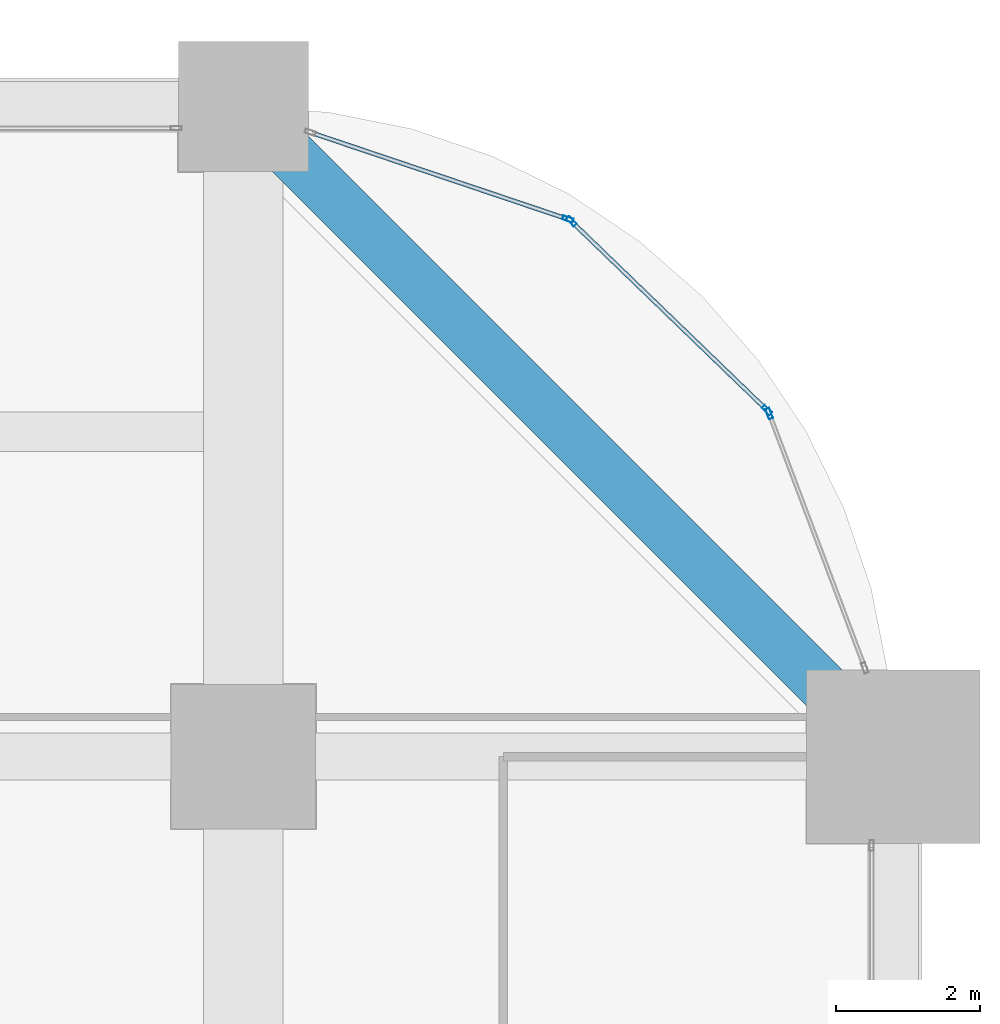
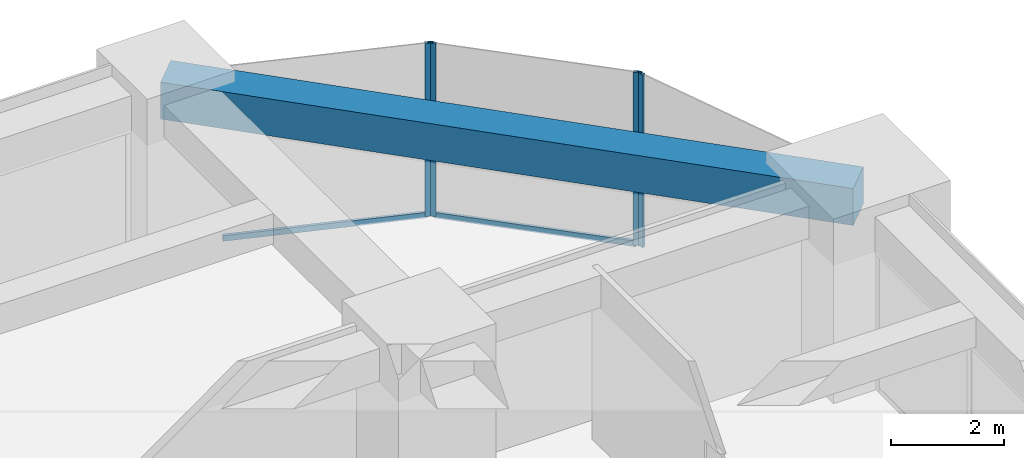
# One storey, part 34 of 41: 6 members, 1 beam, 3 elements without a shape of their own.
"""IFC4 building model written with IfcOpenShell, lengths in metres."""

from ifc_helpers import new_model, si_unit, direction, frame, origin, origin_2d, place, context, subcontext, project, spatial, rectangle, hollow_rectangle, extrude, material, material_profile, profile_set, type_object, element, aggregate, save


model = new_model("IFC4")

# Units and contexts
model_context = context("Model", 3, precision=1e-05, world=origin(), true_north=direction((0.0, 1.0)))
body_context = subcontext(model_context, "Body", "Model", "MODEL_VIEW")
ifc_project = project(units=[si_unit("LENGTHUNIT", "METRE"), si_unit("AREAUNIT", "SQUARE_METRE"), si_unit("VOLUMEUNIT", "CUBIC_METRE"), si_unit("PLANEANGLEUNIT", "RADIAN"), si_unit("MASSUNIT", "GRAM", prefix="KILO")], contexts=[model_context])

# Site, building, storey
site_placement = place(None, origin())
site = spatial("IfcSite", under=ifc_project, at=site_placement, CompositionType="ELEMENT")
building_placement = place(site_placement, origin())
building = spatial("IfcBuilding", under=site, at=building_placement, Name="Zorevar Civic Tower", CompositionType="ELEMENT")
storey_placement = place(building_placement, frame((0.0, 0.0, 113.0)))
storey = spatial("IfcBuildingStorey", under=building, at=storey_placement, Name="L27", CompositionType="ELEMENT", Elevation=113.0)

# Curtain wall, member
ifc_material_1 = material(Name="Dark grey solar-control glass in black aluminium frame", Category="aluminium")
curtain_wall_type = type_object("IfcCurtainWallType", Name="Curtain wall CW3 mid zone", PredefinedType="NOTDEFINED", material=ifc_material_1)
curtain_wall_1_placement = place(storey_placement, origin())
curtain_wall_1 = element("IfcCurtainWall", 1, at=curtain_wall_1_placement, inside=storey, type_object=curtain_wall_type, Name="CW3 L27", PredefinedType="NOTDEFINED")
ifc_material_2 = material(Name="Aluminium, black anodised", Category="aluminium")
ifc_material_profile_1 = material_profile(ifc_material_2, hollow_rectangle(XDim=0.06005859375, YDim=0.14990234375, WallThickness=0.00390625, at=origin_2d()), Name="AL 150x60x4")
ifc_profile_set_1 = profile_set([ifc_material_profile_1], Name="Aluminium, black anodised")
member_type_1 = type_object("IfcMemberType", Name="CW3 mullion AL 150x60x4", PredefinedType="MULLION", material=ifc_profile_set_1)
member_1_placement = place(storey_placement, frame((61.281494140625, 40.749267578125, 0.0), z_axis=(0.0, 0.0, 1.0), x_axis=(-0.935950528564, -0.352131520999, 0.0)))
member_1 = element("IfcMember", 2, at=member_1_placement, type_object=member_type_1, Name="CW3 mullion 2", PredefinedType="MULLION", context=body_context, shape_type="SweptSolid", body=[
    extrude(hollow_rectangle(XDim=0.06005859375, YDim=0.14990234375, WallThickness=0.00390625, at=origin_2d()), origin(), (0.0, 0.0, 1.0), 3.75),
])
aggregate(curtain_wall_1, [member_1])

# Curtain wall, members
curtain_wall_2_placement = place(storey_placement, origin())
curtain_wall_2 = element("IfcCurtainWall", 3, at=curtain_wall_2_placement, inside=storey, type_object=curtain_wall_type, Name="CW3 L27", PredefinedType="NOTDEFINED")
member_2_placement = place(storey_placement, frame((61.249267578125, 40.798095703125, 0.0), z_axis=(0.0, 0.0, 1.0), x_axis=(-0.694719089155, -0.719281160023, 0.0)))
member_2 = element("IfcMember", 4, at=member_2_placement, type_object=member_type_1, Name="CW3 mullion 1", PredefinedType="MULLION", context=body_context, shape_type="SweptSolid", body=[
    extrude(hollow_rectangle(XDim=0.06005859375, YDim=0.14990234375, WallThickness=0.00390625, at=origin_2d()), origin(), (0.0, 0.0, 1.0), 3.75),
])
member_3_placement = place(storey_placement, frame((58.54345703125, 43.41162109375, 0.0), z_axis=(0.0, 0.0, 1.0), x_axis=(-0.694719089155, -0.719281160023, 0.0)))
member_3 = element("IfcMember", 5, at=member_3_placement, type_object=member_type_1, Name="CW3 mullion 2", PredefinedType="MULLION", context=body_context, shape_type="SweptSolid", body=[
    extrude(hollow_rectangle(XDim=0.06005859375, YDim=0.14990234375, WallThickness=0.00390625, at=origin_2d()), origin(), (0.0, 0.0, 1.0), 3.75),
])

# Curtain wall, member
curtain_wall_3_placement = place(storey_placement, origin())
curtain_wall_3 = element("IfcCurtainWall", 6, at=curtain_wall_3_placement, inside=storey, type_object=curtain_wall_type, Name="CW3 L27", PredefinedType="NOTDEFINED")
member_4_placement = place(storey_placement, frame((58.493408203125, 43.442138671875, 0.0), z_axis=(0.0, 0.0, 1.0), x_axis=(-0.319412525043, -0.947615765406, 0.0)))
member_4 = element("IfcMember", 7, at=member_4_placement, type_object=member_type_1, Name="CW3 mullion 1", PredefinedType="MULLION", context=body_context, shape_type="SweptSolid", body=[
    extrude(hollow_rectangle(XDim=0.06005859375, YDim=0.14990234375, WallThickness=0.00390625, at=origin_2d()), origin(), (0.0, 0.0, 1.0), 3.75),
])

# Member
ifc_material_3 = material(Name="Aluminium, black anodised", Category="aluminium")
ifc_material_profile_2 = material_profile(ifc_material_3, hollow_rectangle(XDim=0.06005859375, YDim=0.1201171875, WallThickness=0.0029296875, at=origin_2d()), Name="AL 120x60x3")
ifc_profile_set_2 = profile_set([ifc_material_profile_2], Name="Aluminium, black anodised")
member_type_2 = type_object("IfcMemberType", Name="CW3 transom AL 120x60x3", PredefinedType="USERDEFINED", material=ifc_profile_set_2)
member_5_placement = place(storey_placement, frame((61.227783203125, 40.81884765625, 0.030029296875), z_axis=(-0.719266228526, 0.694734548228, 0.0), x_axis=(-0.694734548228, -0.719266228526, 0.0)))
member_5 = element("IfcMember", 8, at=member_5_placement, type_object=member_type_2, Name="CW3 sill transom", ObjectType="TRANSOM", PredefinedType="USERDEFINED", context=body_context, shape_type="SweptSolid", body=[
    extrude(hollow_rectangle(XDim=0.06005859375, YDim=0.1201171875, WallThickness=0.0029296875, at=origin_2d()), origin(), (0.0, 0.0, 1.0), 3.7021484375),
])

aggregate(curtain_wall_2, [member_2, member_3, member_5])

member_6_placement = place(storey_placement, frame((58.465087890625, 43.45166015625, 0.030029296875), z_axis=(-0.9476295577, 0.319371603893, 0.0), x_axis=(-0.319371603893, -0.9476295577, 0.0)))
member_6 = element("IfcMember", 9, at=member_6_placement, type_object=member_type_2, Name="CW3 sill transom", ObjectType="TRANSOM", PredefinedType="USERDEFINED", context=body_context, shape_type="SweptSolid", body=[
    extrude(hollow_rectangle(XDim=0.06005859375, YDim=0.1201171875, WallThickness=0.0029296875, at=origin_2d()), origin(), (0.0, 0.0, 1.0), 3.7021484375),
])

aggregate(curtain_wall_3, [member_4, member_6])

# Beam
ifc_material_4 = material(Name="Concrete C50/60", Category="concrete")
ifc_material_profile_3 = material_profile(ifc_material_4, rectangle(XDim=0.699951171875, YDim=0.800048828125, at=origin_2d()), Name="RC 700x800")
ifc_profile_set_3 = profile_set([ifc_material_profile_3], Name="Concrete C50/60")
beam_type = type_object("IfcBeamType", Name="Edge beam RC 700x800", PredefinedType="SPANDREL", material=ifc_profile_set_3)
beam_placement = place(storey_placement, frame((63.0, 36.0, 3.35009765625), z_axis=(-0.707106781187, 0.707106781187, 0.0), x_axis=(-0.707106781187, -0.707106781187, 0.0)))
element("IfcBeam", 10, at=beam_placement, inside=storey, type_object=beam_type, Name="Corner edge beam L28", PredefinedType="SPANDREL", context=body_context, shape_type="SweptSolid", body=[
    extrude(rectangle(XDim=0.699951171875, YDim=0.800048828125, at=origin_2d()), origin(), (0.0, 0.0, 1.0), 12.72802734375),
])

save(model, "model.ifc")
